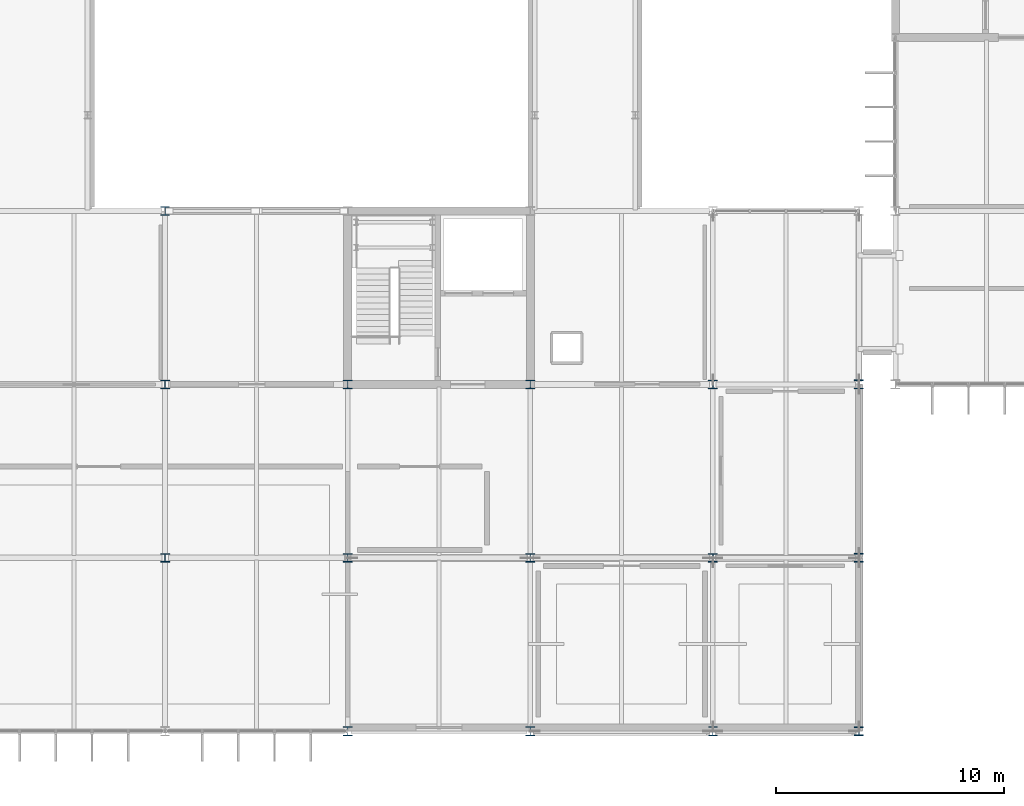
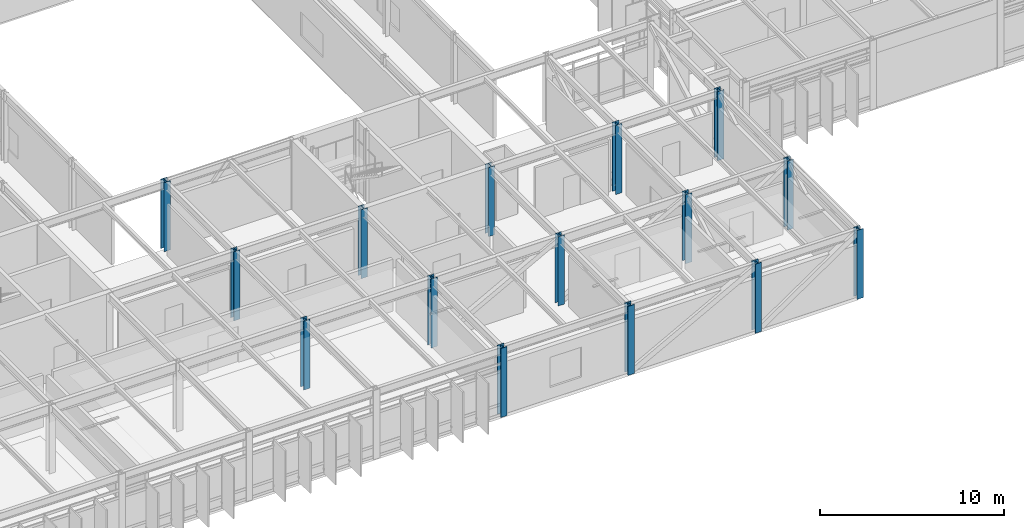
# One storey, part 3 of 104: 15 columns.
"""IFC4 building model written with IfcOpenShell, lengths in metres."""

from ifc_helpers import new_model, si_unit, direction, frame, origin, origin_2d, place, context, subcontext, project, spatial, i_section, extrude, material, material_profile, profile_set, type_object, element, save


model = new_model("IFC4")

# Units and contexts
model_context = context("Model", 3, precision=1e-05, world=origin(), true_north=direction((0.0, 1.0)))
body_context = subcontext(model_context, "Body", "Model", "MODEL_VIEW")
ifc_project = project(units=[si_unit("LENGTHUNIT", "METRE"), si_unit("AREAUNIT", "SQUARE_METRE"), si_unit("VOLUMEUNIT", "CUBIC_METRE"), si_unit("PLANEANGLEUNIT", "RADIAN"), si_unit("MASSUNIT", "GRAM", prefix="KILO")], contexts=[model_context])

# Site, building, storey
site_placement = place(None, origin())
site = spatial("IfcSite", under=ifc_project, at=site_placement, CompositionType="ELEMENT")
building_placement = place(site_placement, origin())
building = spatial("IfcBuilding", under=site, at=building_placement, Name="Zulena Civic Courthouse", CompositionType="ELEMENT")
storey_placement = place(building_placement, frame((0.0, 0.0, 15.60009765625)))
storey = spatial("IfcBuildingStorey", under=building, at=storey_placement, Name="L03", CompositionType="ELEMENT", Elevation=15.60009765625)

# Columns
ifc_material = material(Name="Steel ASTM A992 Grade 50", Category="steel")
ifc_material_profile_1 = material_profile(ifc_material, i_section(OverallWidth=0.39404296875, OverallDepth=0.3759765625, WebThickness=0.017333984375, FlangeThickness=0.027587890625, FilletRadius=0.01513671875, at=origin_2d()), Name="W14X145")
ifc_profile_set_1 = profile_set([ifc_material_profile_1], Name="Steel ASTM A992 Grade 50")
column_type_1 = type_object("IfcColumnType", Name="Col_W14X145", PredefinedType="COLUMN", material=ifc_profile_set_1)
for number, where, z_axis, x_axis, name in (
    (1, (36.0, 7.60009765625, 0.0), (0.0, 0.0, 1.0), (1.0, 0.0, 0.0), "col:V2:L03:36.0:7.6"),
    (2, (36.0, 15.199951171875, 0.0), (0.0, 0.0, 1.0), (1.0, 0.0, 0.0), "col:V2:L03:36.0:15.2"),
    (3, (44.0, 7.60009765625, 0.0), (0.0, 0.0, 1.0), (1.0, 0.0, 0.0), "col:V2:L03:44.0:7.6"),
    (4, (44.0, 15.199951171875, 0.0), (0.0, 0.0, 1.0), (1.0, 0.0, 0.0), "col:V2:L03:44.0:15.2"),
    (5, (52.0, 7.60009765625, 0.0), (0.0, 0.0, 1.0), (1.0, 0.0, 0.0), "col:V2:L03:52.0:7.6"),
    (6, (52.0, 15.199951171875, 0.0), (0.0, 0.0, 1.0), (1.0, 0.0, 0.0), "col:V2:L03:52.0:15.2"),
    (7, (60.0, 7.60009765625, 0.0), (0.0, 0.0, 1.0), (1.0, 0.0, 0.0), "col:V2:L03:60.0:7.6"),
    (8, (60.0, 15.199951171875, 0.0), (0.0, 0.0, 1.0), (1.0, 0.0, 0.0), "col:V2:L03:60.0:15.2"),
):
    element("IfcColumn", number, at=place(storey_placement, frame(where, z_axis=z_axis, x_axis=x_axis)), inside=storey, type_object=column_type_1, Name=name, PredefinedType="COLUMN", context=body_context, shape_type="SweptSolid", body=[
        extrude(i_section(OverallWidth=0.39404296875, OverallDepth=0.3759765625, WebThickness=0.017333984375, FlangeThickness=0.027587890625, FilletRadius=0.01513671875, at=origin_2d()), origin(), (0.0, 0.0, 1.0), 4.58984375),
    ])
ifc_material_profile_2 = material_profile(ifc_material, i_section(OverallWidth=0.39892578125, OverallDepth=0.386962890625, WebThickness=0.02099609375, FlangeThickness=0.033203125, FilletRadius=0.01513671875, at=origin_2d()), Name="W14X176")
ifc_profile_set_2 = profile_set([ifc_material_profile_2], Name="Steel ASTM A992 Grade 50")
column_type_2 = type_object("IfcColumnType", Name="Col_W14X176", PredefinedType="COLUMN", material=ifc_profile_set_2)
for number, where, z_axis, x_axis, name in (
    (9, (66.39990234375, 0.0, 0.0), (0.0, 0.0, 1.0), (1.0, 0.0, 0.0), "col:V2:L03:66.4:0.0"),
    (10, (66.39990234375, 7.60009765625, 0.0), (0.0, 0.0, 1.0), (1.0, 0.0, 0.0), "col:V2:L03:66.4:7.6"),
    (11, (66.39990234375, 15.199951171875, 0.0), (0.0, 0.0, 1.0), (1.0, 0.0, 0.0), "col:V2:L03:66.4:15.2"),
):
    element("IfcColumn", number, at=place(storey_placement, frame(where, z_axis=z_axis, x_axis=x_axis)), inside=storey, type_object=column_type_2, Name=name, PredefinedType="COLUMN", context=body_context, shape_type="SweptSolid", body=[
        extrude(i_section(OverallWidth=0.39892578125, OverallDepth=0.386962890625, WebThickness=0.02099609375, FlangeThickness=0.033203125, FilletRadius=0.01513671875, at=origin_2d()), origin(), (0.0, 0.0, 1.0), 4.58984375),
    ])
ifc_material_profile_3 = material_profile(ifc_material, i_section(OverallWidth=0.40087890625, OverallDepth=0.39892578125, WebThickness=0.02490234375, FlangeThickness=0.03955078125, FilletRadius=0.01513671875, at=origin_2d()), Name="W14X211")
ifc_profile_set_3 = profile_set([ifc_material_profile_3], Name="Steel ASTM A992 Grade 50")
column_type_3 = type_object("IfcColumnType", Name="Col_W14X211", PredefinedType="COLUMN", material=ifc_profile_set_3)
for number, where, z_axis, x_axis, name in (
    (12, (36.0, 22.800048828125, 0.0), (0.0, 0.0, 1.0), (1.0, 0.0, 0.0), "col:V2:L03:36.0:22.8"),
    (13, (44.0, 0.0, 0.0), (0.0, 0.0, 1.0), (1.0, 0.0, 0.0), "col:V2:L03:44.0:0.0"),
    (14, (52.0, 0.0, 0.0), (0.0, 0.0, 1.0), (1.0, 0.0, 0.0), "col:V2:L03:52.0:0.0"),
    (15, (60.0, 0.0, 0.0), (0.0, 0.0, 1.0), (1.0, 0.0, 0.0), "col:V2:L03:60.0:0.0"),
):
    element("IfcColumn", number, at=place(storey_placement, frame(where, z_axis=z_axis, x_axis=x_axis)), inside=storey, type_object=column_type_3, Name=name, PredefinedType="COLUMN", context=body_context, shape_type="SweptSolid", body=[
        extrude(i_section(OverallWidth=0.40087890625, OverallDepth=0.39892578125, WebThickness=0.02490234375, FlangeThickness=0.03955078125, FilletRadius=0.01513671875, at=origin_2d()), origin(), (0.0, 0.0, 1.0), 4.58984375),
    ])

save(model, "model.ifc")
